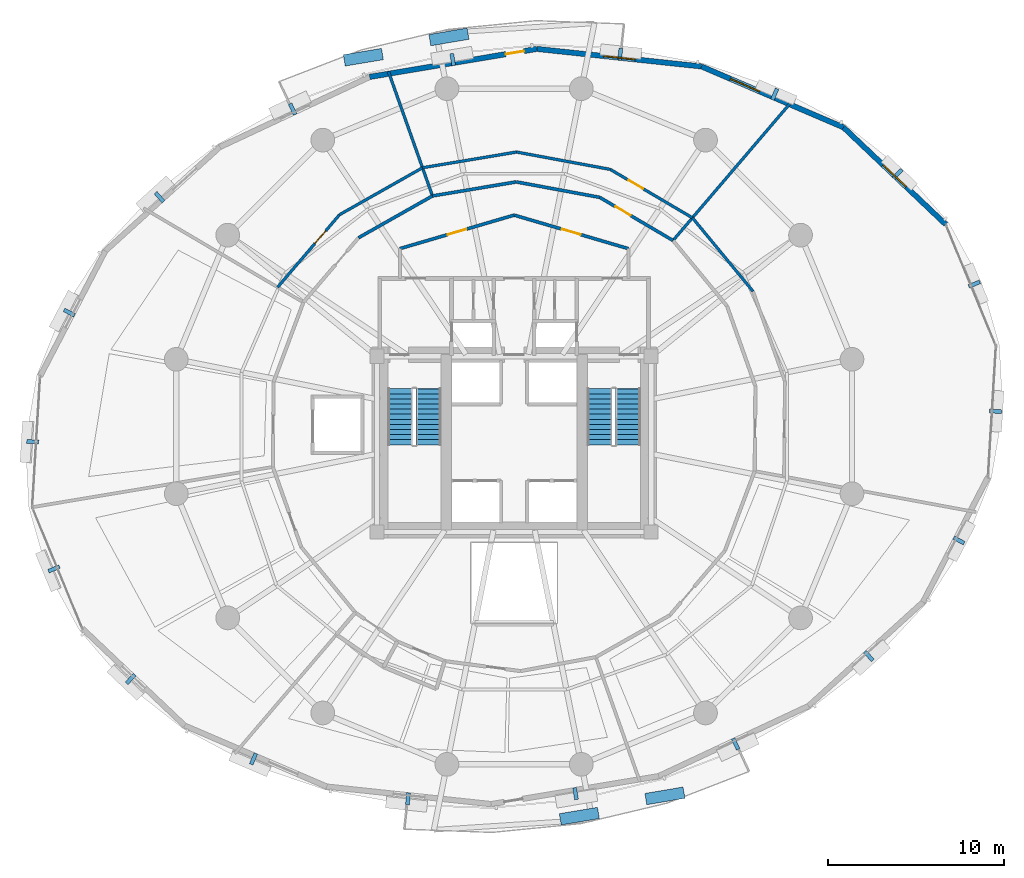
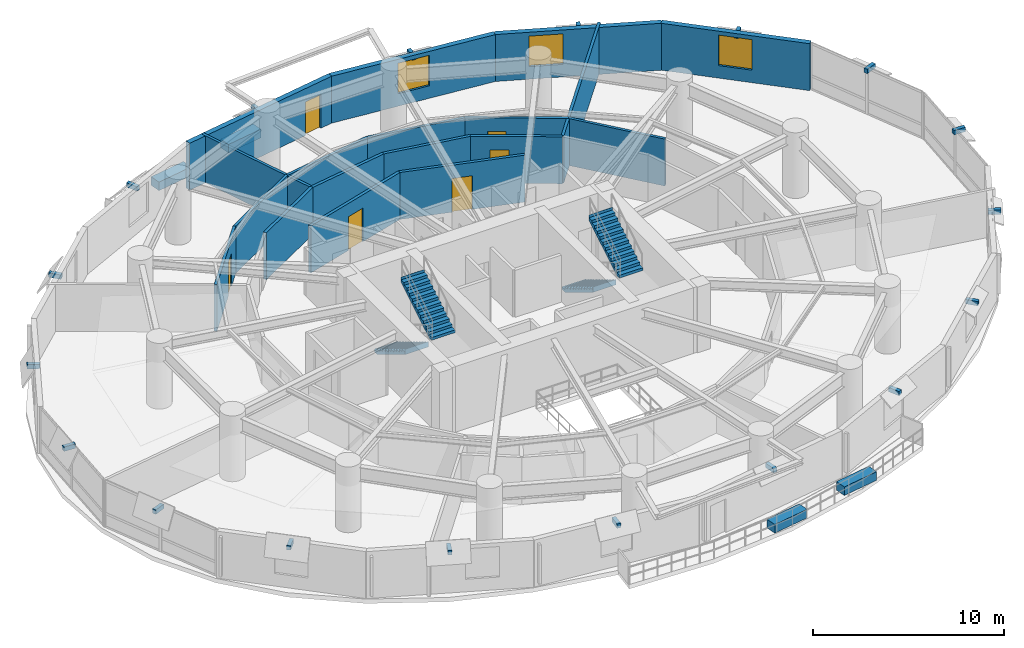
# One storey, part 14 of 17: 22 discrete accessories, 18 walls, 6 doors, 4 stair flights, 3 windows, 9 openings, 2 elements without a shape of their own.
"""IFC4 building model written with IfcOpenShell, lengths in metres."""

from ifc_helpers import new_model, si_unit, direction, frame, frame_2d, origin, origin_2d, place, context, subcontext, project, spatial, polyline, rectangle, outline, extrude, material, layer, layer_set, type_object, element, fill, aggregate, save


model = new_model("IFC4")

# Units and contexts
model_context = context("Model", 3, precision=1e-05, world=origin(), true_north=direction((0.0, 1.0)))
body_context = subcontext(model_context, "Body", "Model", "MODEL_VIEW")
ifc_project = project(units=[si_unit("LENGTHUNIT", "METRE"), si_unit("AREAUNIT", "SQUARE_METRE"), si_unit("VOLUMEUNIT", "CUBIC_METRE"), si_unit("PLANEANGLEUNIT", "RADIAN"), si_unit("MASSUNIT", "GRAM", prefix="KILO"), si_unit("THERMODYNAMICTEMPERATUREUNIT", "KELVIN"), si_unit("POWERUNIT", "WATT")], contexts=[model_context])

# Site, building, storey
site_placement = place(None, origin())
site = spatial("IfcSite", under=ifc_project, at=site_placement, CompositionType="ELEMENT")
building_placement = place(site_placement, origin())
building = spatial("IfcBuilding", under=site, at=building_placement, Name="Ocrelia Relay Tower", CompositionType="ELEMENT")
storey_placement = place(building_placement, frame((0.0, 0.0, 72.0)))
storey = spatial("IfcBuildingStorey", under=building, at=storey_placement, Name="L16", CompositionType="ELEMENT", Elevation=72.0)

# Wall, opening, door
ifc_material_1 = material(Name="Gypsum Fireboard Partition EI60", Category="gypsum")
ifc_layer_1 = layer(ifc_material_1, 0.179931640625, Name="Gypsum Fireboard Partition EI60")
ifc_layer_set_1 = layer_set([ifc_layer_1], Name="Gypsum Fireboard Partition EI60")
wall_type_1 = type_object("IfcWallType", Name="W-CORR-EI60-180", PredefinedType="PARTITIONING", material=ifc_layer_set_1)
wall_1_placement = place(storey_placement, frame((27.5, 36.122802734375, 0.0), z_axis=(0.0, 0.0, 1.0), x_axis=(0.959546654541, 0.281549671923, 0.0)))
wall_1 = element("IfcWall", 1, at=wall_1_placement, inside=storey, type_object=wall_type_1, Name="L16 North Smoke Lobby W Screen Wall", PredefinedType="PARTITIONING", context=body_context, shape_type="SweptSolid", body=[
    extrude(rectangle(XDim=6.77392578125, YDim=0.179931640625, at=frame_2d((3.386962890625, 0.0))), origin(), (0.0, 0.0, 1.0), 3.0),
])
opening_1_placement = place(wall_1_placement, frame((2.8369140625, 0.0, 0.0)))
opening_1 = element("IfcOpeningElement", 2, at=opening_1_placement, cuts=wall_1, Name="Opening D-FD60", PredefinedType="OPENING", context=body_context, shape_type="SweptSolid", body=[
    extrude(rectangle(XDim=1.10009765625, YDim=2.14990234375, at=frame_2d((0.550048828125, 1.074951171875))), frame((0.0, 0.10009765625, 0.0), z_axis=(0.0, -1.0, 0.0), x_axis=(1.0, 0.0, 0.0)), (0.0, 0.0, 1.0), 0.199951171875),
])
ifc_material_2 = material(Name="Timber-core 60-min acoustic fire door", Category="wood")
door_type_1 = type_object("IfcDoorType", Name="DR-LOBBY-FD60-1100", OperationType="NOTDEFINED", PredefinedType="DOOR", material=ifc_material_2)
door_1_placement = place(opening_1_placement, origin())
door_1 = element("IfcDoor", 3, at=door_1_placement, inside=storey, type_object=door_type_1, Name="L16 North Smoke Lobby W Fire Door", OperationType="SINGLE_SWING_RIGHT", OverallHeight=2.14990234375, OverallWidth=1.10009765625, PredefinedType="DOOR", context=body_context, shape_type="SweptSolid", body=[
    extrude(rectangle(XDim=1.10009765625, YDim=2.14990234375, at=frame_2d((0.550048828125, 1.074951171875))), frame((0.0, 0.02490234375, 0.0), z_axis=(0.0, -1.0, 0.0), x_axis=(1.0, 0.0, 0.0)), (0.0, 0.0, 1.0), 0.050048828125),
])
fill(opening_1, door_1)

wall_2_placement = place(storey_placement, frame((34.0, 38.030029296875, 0.0), z_axis=(0.0, 0.0, 1.0), x_axis=(0.959546654541, -0.281549671923, 0.0)))
wall_2 = element("IfcWall", 4, at=wall_2_placement, inside=storey, type_object=wall_type_1, Name="L16 North Smoke Lobby E Screen Wall", PredefinedType="PARTITIONING", context=body_context, shape_type="SweptSolid", body=[
    extrude(rectangle(XDim=6.77392578125, YDim=0.179931640625, at=frame_2d((3.386962890625, 0.0))), origin(), (0.0, 0.0, 1.0), 3.0),
])
opening_2_placement = place(wall_2_placement, frame((2.8369140625, 0.0, 0.0)))
opening_2 = element("IfcOpeningElement", 5, at=opening_2_placement, cuts=wall_2, Name="Opening D-FD60", PredefinedType="OPENING", context=body_context, shape_type="SweptSolid", body=[
    extrude(rectangle(XDim=1.10009765625, YDim=2.14990234375, at=frame_2d((0.550048828125, 1.074951171875))), frame((0.0, 0.10009765625, 0.0), z_axis=(0.0, -1.0, 0.0), x_axis=(1.0, 0.0, 0.0)), (0.0, 0.0, 1.0), 0.199951171875),
])
door_2_placement = place(opening_2_placement, origin())
door_2 = element("IfcDoor", 6, at=door_2_placement, inside=storey, type_object=door_type_1, Name="L16 North Smoke Lobby E Fire Door", OperationType="SINGLE_SWING_LEFT", OverallHeight=2.14990234375, OverallWidth=1.10009765625, PredefinedType="DOOR", context=body_context, shape_type="SweptSolid", body=[
    extrude(rectangle(XDim=1.10009765625, YDim=2.14990234375, at=frame_2d((0.550048828125, 1.074951171875))), frame((0.0, 0.02490234375, 0.0), z_axis=(0.0, -1.0, 0.0), x_axis=(1.0, 0.0, 0.0)), (0.0, 0.0, 1.0), 0.050048828125),
])
fill(opening_2, door_2)

wall_3_placement = place(storey_placement, frame((43.040283203125, 36.5849609375, 0.0), z_axis=(0.0, 0.0, 1.0), x_axis=(-0.861622469099, 0.507549722434, 0.0)))
wall_3 = element("IfcWall", 7, at=wall_3_placement, inside=storey, type_object=wall_type_1, Name="L16 Telemetry Office B Corridor Partition 1", PredefinedType="PARTITIONING", context=body_context, shape_type="SweptSolid", body=[
    extrude(rectangle(XDim=4.834228515625, YDim=0.179931640625, at=frame_2d((2.4169921875, 0.0))), origin(), (0.0, 0.0, 1.0), 3.0),
])
opening_3_placement = place(wall_3_placement, frame((2.80078125, 0.0, 0.0)))
opening_3 = element("IfcOpeningElement", 8, at=opening_3_placement, cuts=wall_3, Name="Opening D-RM100", PredefinedType="OPENING", context=body_context, shape_type="SweptSolid", body=[
    extrude(rectangle(XDim=1.0, YDim=2.14990234375, at=frame_2d((0.5, 1.074951171875))), frame((0.0, 0.10009765625, 0.0), z_axis=(0.0, -1.0, 0.0), x_axis=(1.0, 0.0, 0.0)), (0.0, 0.0, 1.0), 0.199951171875),
])
ifc_material_3 = material(Name="Acoustic oak veneer fire door", Category="wood")
door_type_2 = type_object("IfcDoorType", Name="DR-ROOM-FD60-1000", OperationType="NOTDEFINED", PredefinedType="DOOR", material=ifc_material_3)
door_3_placement = place(opening_3_placement, origin())
door_3 = element("IfcDoor", 9, at=door_3_placement, inside=storey, type_object=door_type_2, Name="L16 Telemetry Office B Entrance Door", OperationType="SINGLE_SWING_RIGHT", OverallHeight=2.14990234375, OverallWidth=1.0, PredefinedType="DOOR", context=body_context, shape_type="SweptSolid", body=[
    extrude(rectangle(XDim=1.0, YDim=2.14990234375, at=frame_2d((0.5, 1.074951171875))), frame((0.0, 0.02490234375, 0.0), z_axis=(0.0, -1.0, 0.0), x_axis=(1.0, 0.0, 0.0)), (0.0, 0.0, 1.0), 0.050048828125),
])
fill(opening_3, door_3)

# Walls
wall_4_placement = place(storey_placement, frame((38.875, 39.03857421875, 0.0), z_axis=(0.0, 0.0, 1.0), x_axis=(-0.983259895059, 0.182208613322, 0.0)))
element("IfcWall", 10, at=wall_4_placement, inside=storey, type_object=wall_type_1, Name="L16 Telemetry Office B Corridor Partition 2", PredefinedType="PARTITIONING", context=body_context, shape_type="SweptSolid", body=[
    extrude(rectangle(XDim=4.834228515625, YDim=0.179931640625, at=frame_2d((2.4169921875, 0.0))), origin(), (0.0, 0.0, 1.0), 3.0),
])
for number, where, z_axis, x_axis, name in (
    (11, (34.12158203125, 39.91943359375, 0.0), (0.0, 0.0, 1.0), (-0.986287255142, -0.165037724004, 0.0), "L16 Telemetry Office B Corridor Partition 3"),
    (12, (29.353515625, 39.12158203125, 0.0), (0.0, 0.0, 1.0), (-0.870357726762, -0.492419970621, 0.0), "L16 Systems Office C Corridor Partition 1"),
):
    element("IfcWall", number, at=place(storey_placement, frame(where, z_axis=z_axis, x_axis=x_axis)), inside=storey, type_object=wall_type_1, Name=name, PredefinedType="PARTITIONING", context=body_context, shape_type="SweptSolid", body=[
        extrude(rectangle(XDim=4.83447265625, YDim=0.179931640625, at=frame_2d((2.417236328125, 0.0))), origin(), (0.0, 0.0, 1.0), 3.0),
    ])

# Wall, opening, window
ifc_material_4 = material(Name="Precast concrete C40/50 with oxide terracotta", Category="masonry")
ifc_layer_2 = layer(ifc_material_4, 0.300048828125, Name="Precast concrete C40/50 with oxide terracotta")
ifc_layer_set_2 = layer_set([ifc_layer_2], Name="Precast concrete C40/50 with oxide terracotta")
wall_type_2 = type_object("IfcWallType", Name="W-EXT-TERR-300", PredefinedType="SOLIDWALL", material=ifc_layer_set_2)
wall_5_placement = place(storey_placement, frame((58.562744140625, 37.49658203125, 0.0), z_axis=(0.0, 0.0, 1.0), x_axis=(-0.725354197524, 0.688375833491, 0.0)))
wall_5 = element("IfcWall", 13, at=wall_5_placement, inside=storey, type_object=wall_type_2, Name="L16 Oxide Terracotta Facade Wall 02", PredefinedType="SOLIDWALL", context=body_context, shape_type="SweptSolid", body=[
    extrude(rectangle(XDim=8.021728515625, YDim=0.300048828125, at=frame_2d((4.0107421875, 0.0))), origin(), (0.0, 0.0, 1.0), 3.0),
])
opening_4_placement = place(wall_5_placement, frame((3.111083984375, 0.0, 0.800048828125)))
opening_4 = element("IfcOpeningElement", 14, at=opening_4_placement, cuts=wall_5, Name="Opening W-02", PredefinedType="OPENING", context=body_context, shape_type="SweptSolid", body=[
    extrude(rectangle(XDim=1.800048828125, YDim=1.949951171875, at=frame_2d((0.89990234375, 0.97509765625))), frame((0.0, 0.16015625, 0.0), z_axis=(0.0, -1.0, 0.0), x_axis=(1.0, 0.0, 0.0)), (0.0, 0.0, 1.0), 0.320068359375),
])
ifc_material_5 = material(Name="Clear double-glazed low-E glass", Category="glass")
window_type = type_object("IfcWindowType", Name="WIN-Z1-1800x2100", PartitioningType="DOUBLE_PANEL_VERTICAL", PredefinedType="WINDOW", material=ifc_material_5)
window_1_placement = place(opening_4_placement, origin())
window_1 = element("IfcWindow", 15, at=window_1_placement, inside=storey, type_object=window_type, Name="L16 Facade Module Window 02", OverallHeight=1.949951171875, OverallWidth=1.800048828125, PartitioningType="SINGLE_PANEL", PredefinedType="WINDOW", context=body_context, shape_type="SweptSolid", body=[
    extrude(rectangle(XDim=1.800048828125, YDim=1.949951171875, at=frame_2d((0.89990234375, 0.97509765625))), frame((0.0, 0.030029296875, 0.0), z_axis=(0.0, -1.0, 0.0), x_axis=(1.0, 0.0, 0.0)), (0.0, 0.0, 1.0), 0.06005859375),
])
fill(opening_4, window_1)

wall_6_placement = place(storey_placement, frame((52.744140625, 43.0185546875, 0.0), z_axis=(0.0, 0.0, 1.0), x_axis=(-0.918880561622, 0.394535820267, 0.0)))
wall_6 = element("IfcWall", 16, at=wall_6_placement, inside=storey, type_object=wall_type_2, Name="L16 Oxide Terracotta Facade Wall 03", PredefinedType="SOLIDWALL", context=body_context, shape_type="SweptSolid", body=[
    extrude(rectangle(XDim=8.79248046875, YDim=0.300048828125, at=frame_2d((4.396240234375, 0.0))), origin(), (0.0, 0.0, 1.0), 3.0),
])
opening_5_placement = place(wall_6_placement, frame((5.201904296875, 0.0, 0.800048828125)))
opening_5 = element("IfcOpeningElement", 17, at=opening_5_placement, cuts=wall_6, Name="Opening W-02", PredefinedType="OPENING", context=body_context, shape_type="SweptSolid", body=[
    extrude(rectangle(XDim=1.800048828125, YDim=1.949951171875, at=frame_2d((0.89990234375, 0.97509765625))), frame((0.0, 0.16015625, 0.0), z_axis=(0.0, -1.0, 0.0), x_axis=(1.0, 0.0, 0.0)), (0.0, 0.0, 1.0), 0.320068359375),
])
window_2_placement = place(opening_5_placement, origin())
window_2 = element("IfcWindow", 18, at=window_2_placement, inside=storey, type_object=window_type, Name="L16 Facade Module Window 03", OverallHeight=1.949951171875, OverallWidth=1.800048828125, PartitioningType="SINGLE_PANEL", PredefinedType="WINDOW", context=body_context, shape_type="SweptSolid", body=[
    extrude(rectangle(XDim=1.800048828125, YDim=1.949951171875, at=frame_2d((0.89990234375, 0.97509765625))), frame((0.0, 0.030029296875, 0.0), z_axis=(0.0, -1.0, 0.0), x_axis=(1.0, 0.0, 0.0)), (0.0, 0.0, 1.0), 0.06005859375),
])
fill(opening_5, window_2)

wall_7_placement = place(storey_placement, frame((44.664794921875, 46.487548828125, 0.0), z_axis=(0.0, 0.0, 1.0), x_axis=(-0.994369984689, 0.105963831328, 0.0)))
wall_7 = element("IfcWall", 19, at=wall_7_placement, inside=storey, type_object=wall_type_2, Name="L16 Oxide Terracotta Facade Wall 04", PredefinedType="SOLIDWALL", context=body_context, shape_type="SweptSolid", body=[
    extrude(rectangle(XDim=9.418701171875, YDim=0.300048828125, at=frame_2d((4.70947265625, 0.0))), origin(), (0.0, 0.0, 1.0), 3.0),
])
opening_6_placement = place(wall_7_placement, frame((3.80908203125, 0.0, 0.800048828125)))
opening_6 = element("IfcOpeningElement", 20, at=opening_6_placement, cuts=wall_7, Name="Opening W-02", PredefinedType="OPENING", context=body_context, shape_type="SweptSolid", body=[
    extrude(rectangle(XDim=1.800048828125, YDim=1.949951171875, at=frame_2d((0.89990234375, 0.97509765625))), frame((0.0, 0.16015625, 0.0), z_axis=(0.0, -1.0, 0.0), x_axis=(1.0, 0.0, 0.0)), (0.0, 0.0, 1.0), 0.320068359375),
])
window_3_placement = place(opening_6_placement, origin())
window_3 = element("IfcWindow", 21, at=window_3_placement, inside=storey, type_object=window_type, Name="L16 Facade Module Window 04", OverallHeight=1.949951171875, OverallWidth=1.800048828125, PartitioningType="SINGLE_PANEL", PredefinedType="WINDOW", context=body_context, shape_type="SweptSolid", body=[
    extrude(rectangle(XDim=1.800048828125, YDim=1.949951171875, at=frame_2d((0.89990234375, 0.97509765625))), frame((0.0, 0.030029296875, 0.0), z_axis=(0.0, -1.0, 0.0), x_axis=(1.0, 0.0, 0.0)), (0.0, 0.0, 1.0), 0.06005859375),
])
fill(opening_6, window_3)

# Wall, opening, door
wall_8_placement = place(storey_placement, frame((35.299072265625, 47.485595703125, 0.0), z_axis=(0.0, 0.0, 1.0), x_axis=(-0.986285729655, -0.165046840259, 0.0)))
wall_8 = element("IfcWall", 22, at=wall_8_placement, inside=storey, type_object=wall_type_2, Name="L16 Oxide Terracotta Facade Wall 05", PredefinedType="SOLIDWALL", context=body_context, shape_type="SweptSolid", body=[
    extrude(rectangle(XDim=9.65478515625, YDim=0.300048828125, at=frame_2d((4.827392578125, 0.0))), origin(), (0.0, 0.0, 1.0), 3.0),
])
opening_7_placement = place(wall_8_placement, frame((0.75, 0.0, 0.0)))
opening_7 = element("IfcOpeningElement", 23, at=opening_7_placement, cuts=wall_8, Name="Opening DB-105", PredefinedType="OPENING", context=body_context, shape_type="SweptSolid", body=[
    extrude(rectangle(XDim=1.050048828125, YDim=2.14990234375, at=frame_2d((0.52490234375, 1.074951171875))), frame((0.0, 0.16015625, 0.0), z_axis=(0.0, -1.0, 0.0), x_axis=(1.0, 0.0, 0.0)), (0.0, 0.0, 1.0), 0.320068359375),
])
ifc_material_6 = material(Name="Thermally broken aluminium and clear glass", Category="aluminium")
door_type_3 = type_object("IfcDoorType", Name="DR-BALC-1050", OperationType="NOTDEFINED", PredefinedType="DOOR", material=ifc_material_6)
door_4_placement = place(opening_7_placement, origin())
door_4 = element("IfcDoor", 24, at=door_4_placement, inside=storey, type_object=door_type_3, Name="L16 Planted Loggia Balcony Door B1", OperationType="SINGLE_SWING_LEFT", OverallHeight=2.14990234375, OverallWidth=1.050048828125, PredefinedType="DOOR", context=body_context, shape_type="SweptSolid", body=[
    extrude(rectangle(XDim=1.050048828125, YDim=2.14990234375, at=frame_2d((0.52490234375, 1.074951171875))), frame((0.0, 0.02490234375, 0.0), z_axis=(0.0, -1.0, 0.0), x_axis=(1.0, 0.0, 0.0)), (0.0, 0.0, 1.0), 0.050048828125),
])
fill(opening_7, door_4)

# Walls
ifc_material_7 = material(Name="Acoustic Fireboard Partition EI60", Category="gypsum")
ifc_layer_3 = layer(ifc_material_7, 0.159912109375, Name="Acoustic Fireboard Partition EI60")
ifc_layer_set_3 = layer_set([ifc_layer_3], Name="Acoustic Fireboard Partition EI60")
wall_type_3 = type_object("IfcWallType", Name="W-PART-160", PredefinedType="PARTITIONING", material=ifc_layer_set_3)
wall_9_placement = place(storey_placement, frame((43.040283203125, 36.5849609375, 0.0), z_axis=(0.0, 0.0, 1.0), x_axis=(0.649446826372, 0.760407009249, 0.0)))
element("IfcWall", 25, at=wall_9_placement, inside=storey, type_object=wall_type_3, Name="L16 Hardware Testing Laboratory Radial Partition", PredefinedType="PARTITIONING", context=body_context, shape_type="SweptSolid", body=[
    extrude(rectangle(XDim=10.55029296875, YDim=0.159912109375, at=frame_2d((5.275146484375, 0.0))), origin(), (0.0, 0.0, 1.0), 3.0),
])
wall_10_placement = place(storey_placement, frame((47.594970703125, 33.691650390625, 0.0), z_axis=(0.0, 0.0, 1.0), x_axis=(-0.636098388539, 0.771607957514, 0.0)))
element("IfcWall", 26, at=wall_10_placement, inside=storey, type_object=wall_type_3, Name="L16 Perimeter Hardware Testing Laboratory Mid-Ring Partition 3", PredefinedType="PARTITIONING", context=body_context, shape_type="SweptSolid", body=[
    extrude(rectangle(XDim=5.4248046875, YDim=0.159912109375, at=frame_2d((2.71240234375, 0.0))), origin(), (0.0, 0.0, 1.0), 3.0),
])
wall_11_placement = place(storey_placement, frame((29.353515625, 39.12158203125, 0.0), z_axis=(0.0, 0.0, 1.0), x_axis=(-0.333815866185, 0.942638301515, 0.0)))
element("IfcWall", 27, at=wall_11_placement, inside=storey, type_object=wall_type_3, Name="L16 Telemetry Office B Radial Partition", PredefinedType="PARTITIONING", context=body_context, shape_type="SweptSolid", body=[
    extrude(rectangle(XDim=7.513916015625, YDim=0.159912109375, at=frame_2d((3.7568359375, 0.0))), origin(), (0.0, 0.0, 1.0), 3.0),
])

# Wall, opening, door
wall_12_placement = place(storey_placement, frame((44.144287109375, 37.87744140625, 0.0), z_axis=(0.0, 0.0, 1.0), x_axis=(-0.861614730764, 0.507562858896, 0.0)))
wall_12 = element("IfcWall", 28, at=wall_12_placement, inside=storey, type_object=wall_type_3, Name="L16 Perimeter Telemetry Office B Mid-Ring Partition 1", PredefinedType="PARTITIONING", context=body_context, shape_type="SweptSolid", body=[
    extrude(rectangle(XDim=5.4248046875, YDim=0.159912109375, at=frame_2d((2.71240234375, 0.0))), origin(), (0.0, 0.0, 1.0), 3.0),
])
opening_8_placement = place(wall_12_placement, frame((3.26611328125, 0.0, 0.0)))
opening_8 = element("IfcOpeningElement", 29, at=opening_8_placement, cuts=wall_12, Name="Opening D-RM95", PredefinedType="OPENING", context=body_context, shape_type="SweptSolid", body=[
    extrude(rectangle(XDim=0.949951171875, YDim=2.14990234375, at=frame_2d((0.47509765625, 1.074951171875))), frame((0.0, 0.08984375, 0.0), z_axis=(0.0, -1.0, 0.0), x_axis=(1.0, 0.0, 0.0)), (0.0, 0.0, 1.0), 0.179931640625),
])
door_type_4 = type_object("IfcDoorType", Name="DR-ROOM-950", OperationType="NOTDEFINED", PredefinedType="DOOR", material=ifc_material_3)
door_5_placement = place(opening_8_placement, origin())
door_5 = element("IfcDoor", 30, at=door_5_placement, inside=storey, type_object=door_type_4, Name="L16 Perimeter Telemetry Office B Connecting Door", OperationType="SINGLE_SWING_LEFT", OverallHeight=2.14990234375, OverallWidth=0.949951171875, PredefinedType="DOOR", context=body_context, shape_type="SweptSolid", body=[
    extrude(rectangle(XDim=0.949951171875, YDim=2.14990234375, at=frame_2d((0.47509765625, 1.074951171875))), frame((0.0, 0.02490234375, 0.0), z_axis=(0.0, -1.0, 0.0), x_axis=(1.0, 0.0, 0.0)), (0.0, 0.0, 1.0), 0.050048828125),
])
fill(opening_8, door_5)

# Walls
for number, where, z_axis, x_axis, name in (
    (31, (39.47021484375, 40.630859375, 0.0), (0.0, 0.0, 1.0), (-0.983257225533, 0.182223018408, 0.0), "L16 Perimeter Telemetry Office B Mid-Ring Partition 2"),
    (32, (34.13623046875, 41.619384765625, 0.0), (0.0, 0.0, 1.0), (-0.986287896555, -0.16503389079, 0.0), "L16 Perimeter Telemetry Office B Mid-Ring Partition 3"),
    (33, (28.785888671875, 40.72412109375, 0.0), (0.0, 0.0, 1.0), (-0.870345661177, -0.492441296065, 0.0), "L16 Perimeter Systems Office C Mid-Ring Partition 1"),
):
    element("IfcWall", number, at=place(storey_placement, frame(where, z_axis=z_axis, x_axis=x_axis)), inside=storey, type_object=wall_type_3, Name=name, PredefinedType="PARTITIONING", context=body_context, shape_type="SweptSolid", body=[
        extrude(rectangle(XDim=5.4248046875, YDim=0.159912109375, at=frame_2d((2.71240234375, 0.0))), origin(), (0.0, 0.0, 1.0), 3.0),
    ])

# Wall, opening, door
wall_13_placement = place(storey_placement, frame((24.064453125, 38.052734375, 0.0), z_axis=(0.0, 0.0, 1.0), x_axis=(-0.649433806755, -0.760418128824, 0.0)))
wall_13 = element("IfcWall", 34, at=wall_13_placement, inside=storey, type_object=wall_type_3, Name="L16 Perimeter Systems Office C Mid-Ring Partition 2", PredefinedType="PARTITIONING", context=body_context, shape_type="SweptSolid", body=[
    extrude(rectangle(XDim=5.424560546875, YDim=0.159912109375, at=frame_2d((2.71240234375, 0.0))), origin(), (0.0, 0.0, 1.0), 3.0),
])
opening_9_placement = place(wall_13_placement, frame((1.208740234375, 0.0, 0.0)))
opening_9 = element("IfcOpeningElement", 35, at=opening_9_placement, cuts=wall_13, Name="Opening D-RM95", PredefinedType="OPENING", context=body_context, shape_type="SweptSolid", body=[
    extrude(rectangle(XDim=0.949951171875, YDim=2.14990234375, at=frame_2d((0.47509765625, 1.074951171875))), frame((0.0, 0.08984375, 0.0), z_axis=(0.0, -1.0, 0.0), x_axis=(1.0, 0.0, 0.0)), (0.0, 0.0, 1.0), 0.179931640625),
])
door_6_placement = place(opening_9_placement, origin())
door_6 = element("IfcDoor", 36, at=door_6_placement, inside=storey, type_object=door_type_4, Name="L16 Perimeter Systems Office C Connecting Door", OperationType="SINGLE_SWING_LEFT", OverallHeight=2.14990234375, OverallWidth=0.949951171875, PredefinedType="DOOR", context=body_context, shape_type="SweptSolid", body=[
    extrude(rectangle(XDim=0.949951171875, YDim=2.14990234375, at=frame_2d((0.47509765625, 1.074951171875))), frame((0.0, 0.02490234375, 0.0), z_axis=(0.0, -1.0, 0.0), x_axis=(1.0, 0.0, 0.0)), (0.0, 0.0, 1.0), 0.050048828125),
])
fill(opening_9, door_6)

# Stair, stair flights
ifc_material_8 = material(Name="Concrete C50/60", Category="concrete")
stair_type = type_object("IfcStairType", Name="ST-DL-1420-R175", PredefinedType="HALF_TURN_STAIR", material=ifc_material_8)
stair_1_placement = place(storey_placement, origin())
stair_1 = element("IfcStair", 37, at=stair_1_placement, inside=storey, type_object=stair_type, Name="L16 West Core Exit Stair ST1", PredefinedType="HALF_TURN_STAIR")
stair_flight_type = type_object("IfcStairFlightType", Name="STF-DL-1420-R175", PredefinedType="STRAIGHT", material=ifc_material_8)
stair_flight_1_placement = place(storey_placement, frame((27.52001953125, 28.14990234375, 0.0), z_axis=(0.0, 0.0, 1.0), x_axis=(0.0, -1.0, 0.0)))
stair_flight_1 = element("IfcStairFlight", 38, at=stair_flight_1_placement, type_object=stair_flight_type, Name="ST1 flight 1", NumberOfRisers=12, NumberOfTreads=11, PredefinedType="STRAIGHT", RiserHeight=0.175, TreadLength=0.29, context=body_context, shape_type="SweptSolid", body=[
    extrude(outline(polyline([(-0.008056640625, 0.0), (-0.008056640625, 0.175048828125), (0.0, 0.175048828125), (0.2900390625, 0.175048828125), (0.2900390625, 0.35009765625), (0.580078125, 0.35009765625), (0.580078125, 0.52490234375), (0.8701171875, 0.52490234375), (0.8701171875, 0.699951171875), (1.159912109375, 0.699951171875), (1.159912109375, 0.875), (1.449951171875, 0.875), (1.449951171875, 1.050048828125), (1.739990234375, 1.050048828125), (1.739990234375, 1.22509765625), (2.030029296875, 1.22509765625), (2.030029296875, 1.39990234375), (2.320068359375, 1.39990234375), (2.320068359375, 1.574951171875), (2.610107421875, 1.574951171875), (2.610107421875, 1.75), (2.89990234375, 1.75), (2.89990234375, 1.925048828125), (3.18994140625, 1.925048828125), (3.18994140625, 2.10009765625), (3.197998046875, 2.10009765625), (3.197998046875, 1.75), (0.2900390625, 0.0), (-0.008056640625, 0.0)])), frame((0.0, 0.7099609375, 0.0), z_axis=(0.0, -1.0, 0.0), x_axis=(1.0, 0.0, 0.0)), (0.0, 0.0, 1.0), 1.419921875),
])
stair_flight_2_placement = place(storey_placement, frame((29.139892578125, 24.9599609375, 2.10009765625), z_axis=(0.0, 0.0, 1.0), x_axis=(0.0, 1.0, 0.0)))
stair_flight_2 = element("IfcStairFlight", 39, at=stair_flight_2_placement, type_object=stair_flight_type, Name="ST1 flight 2", NumberOfRisers=12, NumberOfTreads=11, PredefinedType="STRAIGHT", RiserHeight=0.175, TreadLength=0.29, context=body_context, shape_type="SweptSolid", body=[
    extrude(outline(polyline([(-0.008056640625, 0.0), (-0.008056640625, 0.175048828125), (0.0, 0.175048828125), (0.2900390625, 0.175048828125), (0.2900390625, 0.35009765625), (0.580078125, 0.35009765625), (0.580078125, 0.52490234375), (0.8701171875, 0.52490234375), (0.8701171875, 0.699951171875), (1.159912109375, 0.699951171875), (1.159912109375, 0.875), (1.449951171875, 0.875), (1.449951171875, 1.050048828125), (1.739990234375, 1.050048828125), (1.739990234375, 1.22509765625), (2.030029296875, 1.22509765625), (2.030029296875, 1.39990234375), (2.320068359375, 1.39990234375), (2.320068359375, 1.574951171875), (2.610107421875, 1.574951171875), (2.610107421875, 1.75), (2.89990234375, 1.75), (2.89990234375, 1.925048828125), (3.18994140625, 1.925048828125), (3.18994140625, 2.10009765625), (3.197998046875, 2.10009765625), (3.197998046875, 1.75), (0.2900390625, 0.0), (-0.008056640625, 0.0)])), frame((0.0, 0.7099609375, 0.0), z_axis=(0.0, -1.0, 0.0), x_axis=(1.0, 0.0, 0.0)), (0.0, 0.0, 1.0), 1.419921875),
])
aggregate(stair_1, [stair_flight_1, stair_flight_2])

stair_2_placement = place(storey_placement, origin())
stair_2 = element("IfcStair", 40, at=stair_2_placement, inside=storey, type_object=stair_type, Name="L16 East Core Exit Stair ST2", PredefinedType="HALF_TURN_STAIR")
stair_flight_3_placement = place(storey_placement, frame((38.8701171875, 28.14990234375, 0.0), z_axis=(0.0, 0.0, 1.0), x_axis=(0.0, -1.0, 0.0)))
stair_flight_3 = element("IfcStairFlight", 41, at=stair_flight_3_placement, type_object=stair_flight_type, Name="ST2 flight 1", NumberOfRisers=12, NumberOfTreads=11, PredefinedType="STRAIGHT", RiserHeight=0.175, TreadLength=0.29, context=body_context, shape_type="SweptSolid", body=[
    extrude(outline(polyline([(-0.008056640625, 0.0), (-0.008056640625, 0.175048828125), (0.0, 0.175048828125), (0.2900390625, 0.175048828125), (0.2900390625, 0.35009765625), (0.580078125, 0.35009765625), (0.580078125, 0.52490234375), (0.8701171875, 0.52490234375), (0.8701171875, 0.699951171875), (1.159912109375, 0.699951171875), (1.159912109375, 0.875), (1.449951171875, 0.875), (1.449951171875, 1.050048828125), (1.739990234375, 1.050048828125), (1.739990234375, 1.22509765625), (2.030029296875, 1.22509765625), (2.030029296875, 1.39990234375), (2.320068359375, 1.39990234375), (2.320068359375, 1.574951171875), (2.610107421875, 1.574951171875), (2.610107421875, 1.75), (2.89990234375, 1.75), (2.89990234375, 1.925048828125), (3.18994140625, 1.925048828125), (3.18994140625, 2.10009765625), (3.197998046875, 2.10009765625), (3.197998046875, 1.75), (0.2900390625, 0.0), (-0.008056640625, 0.0)])), frame((0.0, 0.7099609375, 0.0), z_axis=(0.0, -1.0, 0.0), x_axis=(1.0, 0.0, 0.0)), (0.0, 0.0, 1.0), 1.419921875),
])
stair_flight_4_placement = place(storey_placement, frame((40.489990234375, 24.9599609375, 2.10009765625), z_axis=(0.0, 0.0, 1.0), x_axis=(0.0, 1.0, 0.0)))
stair_flight_4 = element("IfcStairFlight", 42, at=stair_flight_4_placement, type_object=stair_flight_type, Name="ST2 flight 2", NumberOfRisers=12, NumberOfTreads=11, PredefinedType="STRAIGHT", RiserHeight=0.175, TreadLength=0.29, context=body_context, shape_type="SweptSolid", body=[
    extrude(outline(polyline([(-0.008056640625, 0.0), (-0.008056640625, 0.175048828125), (0.0, 0.175048828125), (0.2900390625, 0.175048828125), (0.2900390625, 0.35009765625), (0.580078125, 0.35009765625), (0.580078125, 0.52490234375), (0.8701171875, 0.52490234375), (0.8701171875, 0.699951171875), (1.159912109375, 0.699951171875), (1.159912109375, 0.875), (1.449951171875, 0.875), (1.449951171875, 1.050048828125), (1.739990234375, 1.050048828125), (1.739990234375, 1.22509765625), (2.030029296875, 1.22509765625), (2.030029296875, 1.39990234375), (2.320068359375, 1.39990234375), (2.320068359375, 1.574951171875), (2.610107421875, 1.574951171875), (2.610107421875, 1.75), (2.89990234375, 1.75), (2.89990234375, 1.925048828125), (3.18994140625, 1.925048828125), (3.18994140625, 2.10009765625), (3.197998046875, 2.10009765625), (3.197998046875, 1.75), (0.2900390625, 0.0), (-0.008056640625, 0.0)])), frame((0.0, 0.7099609375, 0.0), z_axis=(0.0, -1.0, 0.0), x_axis=(1.0, 0.0, 0.0)), (0.0, 0.0, 1.0), 1.419921875),
])
aggregate(stair_2, [stair_flight_3, stair_flight_4])

# Discrete accessories
ifc_material_9 = material(Name="Precast concrete C40/50 planter with highland greenery", Category="concrete")
discrete_accessory_type_1 = type_object("IfcDiscreteAccessoryType", Name="ACC-BALC-PLANTER", PredefinedType="USERDEFINED", material=ifc_material_9)
for number, where, z_axis, x_axis, name in (
    (43, (30.290283203125, 48.169189453125, 0.0), (0.0, 0.0, 1.0), (0.986285951594, 0.165045513989, 0.0), "L16 Balcony Terracotta Planter with Greenery B1"),
    (44, (25.42041015625, 47.01416015625, 0.0), (0.0, 0.0, 1.0), (0.986285951594, 0.165045513989, 0.0), "L16 Balcony Terracotta Planter B1-2"),
    (45, (37.709716796875, 3.830810546875, 0.0), (0.0, 0.0, 1.0), (-0.986285951594, -0.165045513989, 0.0), "L16 Balcony Terracotta Planter with Greenery B2"),
    (46, (42.57958984375, 4.98583984375, 0.0), (0.0, 0.0, 1.0), (-0.986285951594, -0.165045513989, 0.0), "L16 Balcony Terracotta Planter B2-2"),
):
    element("IfcDiscreteAccessory", number, at=place(storey_placement, frame(where, z_axis=z_axis, x_axis=x_axis)), inside=storey, type_object=discrete_accessory_type_1, Name=name, ObjectType="PLANTER", PredefinedType="USERDEFINED", context=body_context, shape_type="SweptSolid", body=[
        extrude(rectangle(XDim=2.199951171875, YDim=0.64990234375, at=origin_2d()), origin(), (0.0, 0.0, 1.0), 0.550048828125),
    ])
ifc_material_10 = material(Name="Steel S355", Category="steel")
discrete_accessory_type_2 = type_object("IfcDiscreteAccessoryType", Name="ACC-VISOR-BRACKET", PredefinedType="BRACKET", material=ifc_material_10)
for number, where, z_axis, x_axis, name in (
    (47, (60.181884765625, 34.1015625, 2.7001953125), (0.0, 0.0, 1.0), (-0.382037876302, 0.924146666429, 0.0), "L16 Visor Mounting Bracket 01"),
    (48, (55.820556640625, 40.36767578125, 2.7001953125), (0.0, 0.0, 1.0), (-0.72536473698, 0.688364727704, 0.0), "L16 Visor Mounting Bracket 02"),
    (49, (48.827880859375, 44.910400390625, 2.7001953125), (0.0, 0.0, 1.0), (-0.918881281262, 0.394534144209, 0.0), "L16 Visor Mounting Bracket 03"),
    (50, (40.036865234375, 47.1787109375, 2.7001953125), (0.0, 0.0, 1.0), (-0.994370482059, 0.105959163874, 0.0), "L16 Visor Mounting Bracket 04"),
    (51, (30.5048828125, 46.885986328125, 2.7001953125), (0.0, 0.0, 1.0), (-0.986285656514, -0.165047277333, 0.0), "L16 Visor Mounting Bracket 05"),
    (52, (21.39697265625, 44.0595703125, 2.7001953125), (0.0, 0.0, 1.0), (-0.905700287492, -0.423918611571, 0.0), "L16 Visor Mounting Bracket 06"),
    (53, (13.8232421875, 39.052490234375, 2.7001953125), (0.0, 0.0, 1.0), (-0.740364486531, -0.672205643448, 0.0), "L16 Visor Mounting Bracket 07"),
    (54, (8.690673828125, 32.480712890625, 2.7001953125), (0.0, 0.0, 1.0), (-0.461744819502, -0.88701280806, 0.0), "L16 Visor Mounting Bracket 08"),
    (55, (6.60693359375, 25.13623046875, 2.7001953125), (0.0, 0.0, 1.0), (-0.060344410517, -0.998177615517, 0.0), "L16 Visor Mounting Bracket 09"),
    (56, (7.818115234375, 17.8984375, 2.7001953125), (0.0, 0.0, 1.0), (0.382037876302, -0.924146666429, 0.0), "L16 Visor Mounting Bracket 10"),
    (57, (12.179443359375, 11.63232421875, 2.7001953125), (0.0, 0.0, 1.0), (0.72536473698, -0.688364727704, 0.0), "L16 Visor Mounting Bracket 11"),
    (58, (19.172119140625, 7.089599609375, 2.7001953125), (0.0, 0.0, 1.0), (0.918881281262, -0.394534144209, 0.0), "L16 Visor Mounting Bracket 12"),
    (59, (27.963134765625, 4.8212890625, 2.7001953125), (0.0, 0.0, 1.0), (0.994370482059, -0.105959163874, 0.0), "L16 Visor Mounting Bracket 13"),
    (60, (37.4951171875, 5.114013671875, 2.7001953125), (0.0, 0.0, 1.0), (0.986285656514, 0.165047277333, 0.0), "L16 Visor Mounting Bracket 14"),
    (61, (46.60302734375, 7.9404296875, 2.7001953125), (0.0, 0.0, 1.0), (0.905700287492, 0.423918611571, 0.0), "L16 Visor Mounting Bracket 15"),
    (62, (54.1767578125, 12.947509765625, 2.7001953125), (0.0, 0.0, 1.0), (0.740364486531, 0.672205643448, 0.0), "L16 Visor Mounting Bracket 16"),
    (63, (59.309326171875, 19.519287109375, 2.7001953125), (0.0, 0.0, 1.0), (0.461744819502, 0.88701280806, 0.0), "L16 Visor Mounting Bracket 17"),
    (64, (61.39306640625, 26.86376953125, 2.7001953125), (0.0, 0.0, 1.0), (0.060344410517, 0.998177615517, 0.0), "L16 Visor Mounting Bracket 18"),
):
    element("IfcDiscreteAccessory", number, at=place(storey_placement, frame(where, z_axis=z_axis, x_axis=x_axis)), inside=storey, type_object=discrete_accessory_type_2, Name=name, PredefinedType="BRACKET", context=body_context, shape_type="SweptSolid", body=[
        extrude(rectangle(XDim=0.219970703125, YDim=0.679931640625, at=origin_2d()), origin(), (0.0, 0.0, 1.0), 0.280029296875),
    ])

save(model, "model.ifc")
